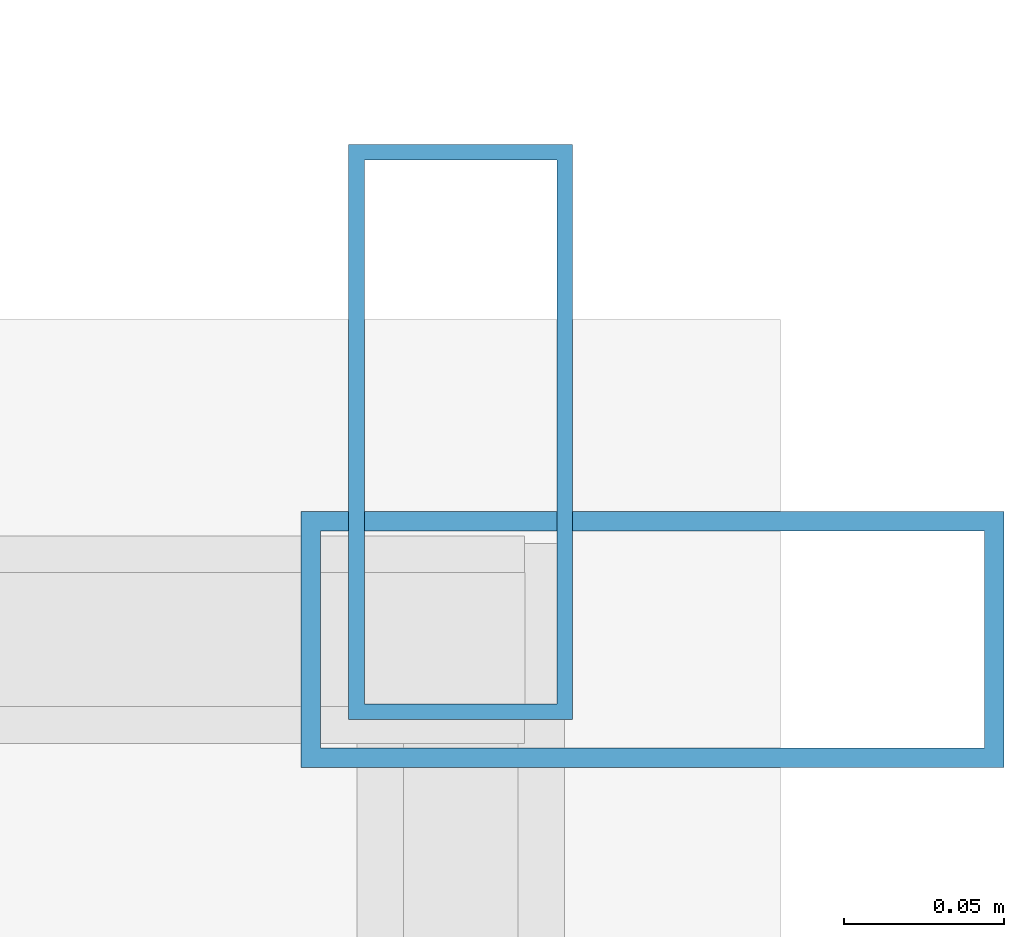
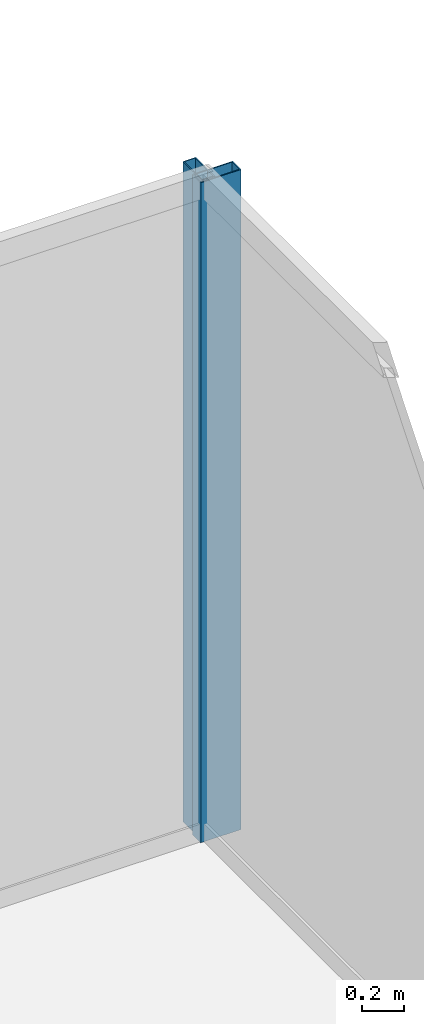
# One storey, part 26 of 35: 2 members, 2 elements without a shape of their own.
"""IFC4 building model written with IfcOpenShell, lengths in metres."""

import ifcopenshell
import ifcopenshell.guid

model = None  # the IFC model being written
_history = None  # IfcOwnerHistory: only IFC2X3 demands one
_inside = {}  # id of a spatial element -> (the spatial element, [elements in it])
_under = {}  # id of a project, library or spatial element -> (it, [spatial elements below it])
_declared = {}  # id of a project -> (the project, [libraries it declares])
_typed = {}  # id of a type object -> (the type object, [elements of that type])
_made_of = {}  # id of a material, layer set ... -> (it, [elements and type objects made of it])


def new_model(schema):
    """Start an empty IFC model of exactly this schema.

    Asked for "IFC4X3", IfcOpenShell would pick the latest addendum, in which some entities
    have other attributes; the version numbers below select the first issue.
    IFC2X3 requires an IfcOwnerHistory on every rooted entity: one is made here for all.
    """
    global model, _history
    if schema == "IFC4X3":
        model = ifcopenshell.file(schema_version=(4, 3, 0, 0))
    else:
        model = ifcopenshell.file(schema=schema)
    _inside.clear()
    _under.clear()
    _declared.clear()
    _typed.clear()
    _made_of.clear()
    _history = None
    if model.schema == "IFC2X3":
        org = make("IfcOrganization", Name="unknown")
        user = make(
            "IfcPersonAndOrganization",
            ThePerson=make("IfcPerson", FamilyName="unknown"),
            TheOrganization=org,
        )
        app = make(
            "IfcApplication",
            ApplicationDeveloper=org,
            Version="unknown",
            ApplicationFullName="unknown",
            ApplicationIdentifier="unknown",
        )
        _history = make(
            "IfcOwnerHistory",
            OwningUser=user,
            OwningApplication=app,
            ChangeAction="ADDED",
            CreationDate=0,
        )
    return model


def make(cls, **values):
    """One entity of the class cls with the attributes given. An attribute that is None is left unset."""
    return model.create_entity(
        cls, **{name: value for name, value in values.items() if value is not None}
    )


def rooted(cls, **values):
    """An entity with a GlobalId (a new one), such as an element, a storey or a relation."""
    return make(cls, GlobalId=ifcopenshell.guid.new(), OwnerHistory=_history, **values)


def si_unit(unit_type, name, prefix=None):
    """IfcSIUnit, for example si_unit("LENGTHUNIT", "METRE", prefix="MILLI")."""
    return make("IfcSIUnit", UnitType=unit_type, Prefix=prefix, Name=name)


def assignment(units):
    """IfcUnitAssignment: the units of a project."""
    return None if units is None else make("IfcUnitAssignment", Units=units)


def point(xyz):
    """IfcCartesianPoint."""
    return None if xyz is None else make("IfcCartesianPoint", Coordinates=xyz)


def direction(xyz):
    """IfcDirection."""
    return None if xyz is None else make("IfcDirection", DirectionRatios=xyz)


def frame(location, z_axis=None, x_axis=None):
    """IfcAxis2Placement3D, a coordinate frame: its origin and axes. An axis left out is left unset."""
    return make(
        "IfcAxis2Placement3D",
        Location=point(location),
        Axis=direction(z_axis),
        RefDirection=direction(x_axis),
    )


def frame_2d(location, x_axis=None):
    """IfcAxis2Placement2D, a coordinate frame in the plane: its origin and x axis."""
    return make(
        "IfcAxis2Placement2D", Location=point(location), RefDirection=direction(x_axis)
    )


def origin():
    """The frame at (0, 0, 0) with its axes left unset."""
    return frame((0.0, 0.0, 0.0))


def origin_2d():
    """The frame at (0, 0) in the plane with its x axis left unset."""
    return frame_2d((0.0, 0.0))


def place(relative_to, where):
    """IfcLocalPlacement: puts the frame where relative to a parent placement (None: the world)."""
    return make(
        "IfcLocalPlacement", PlacementRelTo=relative_to, RelativePlacement=where
    )


def context(
    kind, dimensions, precision=None, world=None, true_north=None, identifier=None
):
    """IfcGeometricRepresentationContext, for example the 3D "Model" context."""
    return make(
        "IfcGeometricRepresentationContext",
        ContextIdentifier=identifier,
        ContextType=kind,
        CoordinateSpaceDimension=dimensions,
        Precision=precision,
        WorldCoordinateSystem=world,
        TrueNorth=true_north,
    )


def subcontext(parent, identifier, kind, view, scale=None):
    """IfcGeometricRepresentationSubContext, for example "Body" below "Model"."""
    return make(
        "IfcGeometricRepresentationSubContext",
        ContextIdentifier=identifier,
        ContextType=kind,
        ParentContext=parent,
        TargetScale=scale,
        TargetView=view,
    )


def project(units=None, contexts=None):
    """IfcProject with its units and contexts."""
    return rooted(
        "IfcProject",
        Name="project",
        RepresentationContexts=contexts,
        UnitsInContext=assignment(units),
    )


def spatial(cls, under=None, at=None, **own):
    """A site, building, storey or space (cls), placed at a placement, below another one or the project."""
    s = rooted(cls, ObjectPlacement=at, **own)
    if under is not None:
        _under.setdefault(under.id(), (under, []))[1].append(s)
    return s


def profile(cls, at=None, kind="AREA", **sizes):
    """A parametric profile (cls). Its sizes go by their IFC names, for example OverallWidth=200.0."""
    return make(cls, ProfileType=kind, Position=at, **sizes)


def hollow_rectangle(**sizes):
    """IfcRectangleHollowProfileDef."""
    return profile("IfcRectangleHollowProfileDef", **sizes)


def extrude(swept, where, along, depth):
    """IfcExtrudedAreaSolid: the profile swept, set in the frame where, extruded along a direction by depth."""
    return make(
        "IfcExtrudedAreaSolid",
        SweptArea=swept,
        Position=where,
        ExtrudedDirection=direction(along),
        Depth=depth,
    )


def shape(context_of_items, identifier, shape_type, items):
    """IfcShapeRepresentation: the items that make up one representation, for example the "Body"."""
    return make(
        "IfcShapeRepresentation",
        ContextOfItems=context_of_items,
        RepresentationIdentifier=identifier,
        RepresentationType=shape_type,
        Items=items,
    )


def source(mapping_origin, context_of_items, identifier, shape_type, items):
    """IfcRepresentationMap: a shape defined once, which mapped items show again and again."""
    return make(
        "IfcRepresentationMap",
        MappingOrigin=mapping_origin,
        MappedRepresentation=shape(context_of_items, identifier, shape_type, items),
    )


def transform(
    local_origin,
    x_axis=None,
    y_axis=None,
    z_axis=None,
    scale=None,
    scale2=None,
    scale3=None,
    uniform=True,
):
    """IfcCartesianTransformationOperator3D, or its non-uniform kind. x_axis, y_axis, z_axis: its Axis1, 2, 3."""
    if uniform:
        return make(
            "IfcCartesianTransformationOperator3D",
            Axis1=direction(x_axis),
            Axis2=direction(y_axis),
            LocalOrigin=point(local_origin),
            Scale=scale,
            Axis3=direction(z_axis),
        )
    return make(
        "IfcCartesianTransformationOperator3DnonUniform",
        Axis1=direction(x_axis),
        Axis2=direction(y_axis),
        LocalOrigin=point(local_origin),
        Scale=scale,
        Axis3=direction(z_axis),
        Scale2=scale2,
        Scale3=scale3,
    )


def mapped(mapping_source, mapping_target):
    """IfcMappedItem: shows the shape of a source again, moved by a transform."""
    return make(
        "IfcMappedItem", MappingSource=mapping_source, MappingTarget=mapping_target
    )


def material(Name=None, Category=None):
    """IfcMaterial."""
    return make("IfcMaterial", Name=Name, Category=Category)


def layer(
    of_material, thickness, ventilated=None, Name=None, Category=None, Priority=None
):
    """IfcMaterialLayer: one layer of a wall or slab, of a material (None: an air gap)."""
    return make(
        "IfcMaterialLayer",
        Material=of_material,
        LayerThickness=thickness,
        IsVentilated=ventilated,
        Name=Name,
        Category=Category,
        Priority=Priority,
    )


def layer_set(layers, Name=None):
    """IfcMaterialLayerSet."""
    return make("IfcMaterialLayerSet", MaterialLayers=layers, LayerSetName=Name)


def material_profile(
    of_material, cross_section, Name=None, Category=None, Priority=None
):
    """IfcMaterialProfile: a cross section and its material."""
    return make(
        "IfcMaterialProfile",
        Name=Name,
        Material=of_material,
        Profile=cross_section,
        Priority=Priority,
        Category=Category,
    )


def profile_set(profiles, Name=None, composite=None):
    """IfcMaterialProfileSet."""
    return make(
        "IfcMaterialProfileSet",
        Name=Name,
        MaterialProfiles=profiles,
        CompositeProfile=composite,
    )


def made_of(thing, what):
    """Note that an element or type object is made of a material, layer set ...; save() writes the relation."""
    if what is not None:
        _made_of.setdefault(what.id(), (what, []))[1].append(thing)
    return thing


def type_object(cls, material=None, **own):
    """A type object (cls), such as IfcWallType, which elements share."""
    return made_of(rooted(cls, **own), material)


def type_shapes(of_type, sources):
    """Give a type object the sources (RepresentationMaps) that its elements show as mapped items."""
    of_type.RepresentationMaps = sources


def element(
    cls,
    number,
    at=None,
    inside=None,
    cuts=None,
    type_object=None,
    material=None,
    context=None,
    identifier="Body",
    shape_type=None,
    held_by="IfcProductDefinitionShape",
    body=None,
    shapes=None,
    **own,
):
    """One element of the class cls, such as IfcWall. Its Tag is "e" and its number.

    at: its placement. inside: the storey or other place that contains it. cuts: it is an
    opening in that element (IfcRelVoidsElement). A single representation is given by context,
    identifier, shape_type and body (its items); several are given by shapes. held_by: the class
    of the entity that holds the representations. save() writes the other relations.
    """
    e = rooted(cls, Tag="e%d" % number, ObjectPlacement=at, **own)
    if body is not None:
        shapes = [shape(context, identifier, shape_type, body)]
    if shapes is not None:
        e.Representation = make(held_by, Representations=shapes)
    if inside is not None:
        _inside.setdefault(inside.id(), (inside, []))[1].append(e)
    if cuts is not None:
        rooted(
            "IfcRelVoidsElement", RelatingBuildingElement=cuts, RelatedOpeningElement=e
        )
    if type_object is not None:
        _typed.setdefault(type_object.id(), (type_object, []))[1].append(e)
    return made_of(e, material)


def aggregate(whole, parts):
    """IfcRelAggregates: a whole, such as a stair, and the parts it consists of."""
    return rooted("IfcRelAggregates", RelatingObject=whole, RelatedObjects=parts)


def save(model, path):
    """Write the relations noted so far, then the file.

    IfcRelAggregates (storeys below a building ...), IfcRelContainedInSpatialStructure (elements
    in a storey), IfcRelDefinesByType, IfcRelAssociatesMaterial and IfcRelDeclares: one each for
    every whole, place, type object, material and project.
    """
    for whole, parts in _under.values():
        aggregate(whole, parts)
    for where, things in _inside.values():
        rooted(
            "IfcRelContainedInSpatialStructure",
            RelatedElements=things,
            RelatingStructure=where,
        )
    for kind, things in _typed.values():
        rooted("IfcRelDefinesByType", RelatedObjects=things, RelatingType=kind)
    for what, things in _made_of.values():
        rooted("IfcRelAssociatesMaterial", RelatedObjects=things, RelatingMaterial=what)
    for by, libraries in _declared.values():
        rooted("IfcRelDeclares", RelatingContext=by, RelatedDefinitions=libraries)
    model.write(path)


model = new_model("IFC4")

# Units and contexts
model_context = context("Model", 3, precision=1e-05, world=origin(), true_north=direction((0.0, 1.0)))
body_context = subcontext(model_context, "Body", "Model", "MODEL_VIEW")
ifc_project = project(units=[si_unit("LENGTHUNIT", "METRE"), si_unit("AREAUNIT", "SQUARE_METRE"), si_unit("VOLUMEUNIT", "CUBIC_METRE"), si_unit("PLANEANGLEUNIT", "RADIAN"), si_unit("MASSUNIT", "GRAM", prefix="KILO")], contexts=[model_context])

# Site, building, storey
site_placement = place(None, origin())
site = spatial("IfcSite", under=ifc_project, at=site_placement, CompositionType="ELEMENT")
building_placement = place(site_placement, origin())
building = spatial("IfcBuilding", under=site, at=building_placement, Name="Haelvirn Gate Laboratories", CompositionType="ELEMENT")
storey_placement = place(building_placement, frame((0.0, 0.0, 201.39990234375)))
storey = spatial("IfcBuildingStorey", under=building, at=storey_placement, Name="L48", CompositionType="ELEMENT", Elevation=201.39990234375)

# Curtain wall, member
ifc_material_1 = material(Name="Anodised bronze unitised aluminium & triple low-E glass", Category="aluminium")
ifc_layer_1 = layer(ifc_material_1, 0.176025390625, Name="CW-SYS-4")
ifc_layer_set_1 = layer_set([ifc_layer_1], Name="Anodised bronze unitised aluminium & triple low-E glass")
curtain_wall_type_1 = type_object("IfcCurtainWallType", Name="CW-SYS-4", PredefinedType="NOTDEFINED", material=ifc_layer_set_1)
curtain_wall_1_placement = place(storey_placement, origin())
curtain_wall_1 = element("IfcCurtainWall", 1, at=curtain_wall_1_placement, inside=storey, type_object=curtain_wall_type_1, Name="L48 Unitised Curtain Wall CW-L48-P0-E07", PredefinedType="NOTDEFINED")
ifc_material_2 = material(Name="Extruded aluminium 6063-T6 (anodised bronze)", Category="aluminium")
ifc_material_profile_1 = material_profile(ifc_material_2, hollow_rectangle(XDim=0.070068359375, YDim=0.179931640625, WallThickness=0.0048828125, at=origin_2d()), Name="CWM-180x70x5")
ifc_profile_set_1 = profile_set([ifc_material_profile_1], Name="Extruded aluminium 6063-T6 (anodised bronze)")
member_type_1 = type_object("IfcMemberType", Name="CWM-T180", PredefinedType="MULLION", material=ifc_profile_set_1)
shared_shape_1 = source(origin(), body_context, "Body", "SweptSolid", [
    extrude(hollow_rectangle(XDim=0.070068359375, YDim=0.179931640625, WallThickness=0.0048828125, at=origin_2d()), origin(), (0.0, 0.0, 1.0), 3.800048828125),
])
type_shapes(member_type_1, [shared_shape_1])
member_1_placement = place(storey_placement, frame((70.699951171875, 42.764892578125, 0.0), z_axis=(0.0, 0.0, 1.0), x_axis=(-1.0, 0.0, 0.0)))
member_1 = element("IfcMember", 2, at=member_1_placement, type_object=member_type_1, Name="CW4 mullion 3", PredefinedType="MULLION", context=body_context, shape_type="MappedRepresentation", body=[
    mapped(shared_shape_1, transform((0.0, 0.0, 0.0), scale=1.0)),
])
aggregate(curtain_wall_1, [member_1])

ifc_layer_2 = layer(ifc_material_1, 0.181884765625, Name="CW-SYS-5")
ifc_layer_set_2 = layer_set([ifc_layer_2], Name="Anodised bronze unitised aluminium & triple low-E glass")
curtain_wall_type_2 = type_object("IfcCurtainWallType", Name="CW-SYS-5", PredefinedType="NOTDEFINED", material=ifc_layer_set_2)
curtain_wall_2_placement = place(storey_placement, origin())
curtain_wall_2 = element("IfcCurtainWall", 3, at=curtain_wall_2_placement, inside=storey, type_object=curtain_wall_type_2, Name="L48 Unitised Curtain Wall CW-L48-P0-E08-1", PredefinedType="NOTDEFINED")
ifc_material_profile_2 = material_profile(ifc_material_2, hollow_rectangle(XDim=0.080078125, YDim=0.219970703125, WallThickness=0.006103515625, at=origin_2d()), Name="CWM-220x80x6")
ifc_profile_set_2 = profile_set([ifc_material_profile_2], Name="Extruded aluminium 6063-T6 (anodised bronze)")
member_type_2 = type_object("IfcMemberType", Name="CWM-T220", PredefinedType="MULLION", material=ifc_profile_set_2)
shared_shape_2 = source(origin(), body_context, "Body", "SweptSolid", [
    extrude(hollow_rectangle(XDim=0.080078125, YDim=0.219970703125, WallThickness=0.006103515625, at=origin_2d()), origin(), (0.0, 0.0, 1.0), 3.800048828125),
])
type_shapes(member_type_2, [shared_shape_2])
member_2_placement = place(storey_placement, frame((70.760009765625, 42.699951171875, 0.0), z_axis=(0.0, 0.0, 1.0), x_axis=(0.0, 1.0, 0.0)))
member_2 = element("IfcMember", 4, at=member_2_placement, type_object=member_type_2, Name="CW5 mullion 2", PredefinedType="MULLION", context=body_context, shape_type="MappedRepresentation", body=[
    mapped(shared_shape_2, transform((0.0, 0.0, 0.0), scale=1.0)),
])
aggregate(curtain_wall_2, [member_2])

save(model, "model.ifc")
